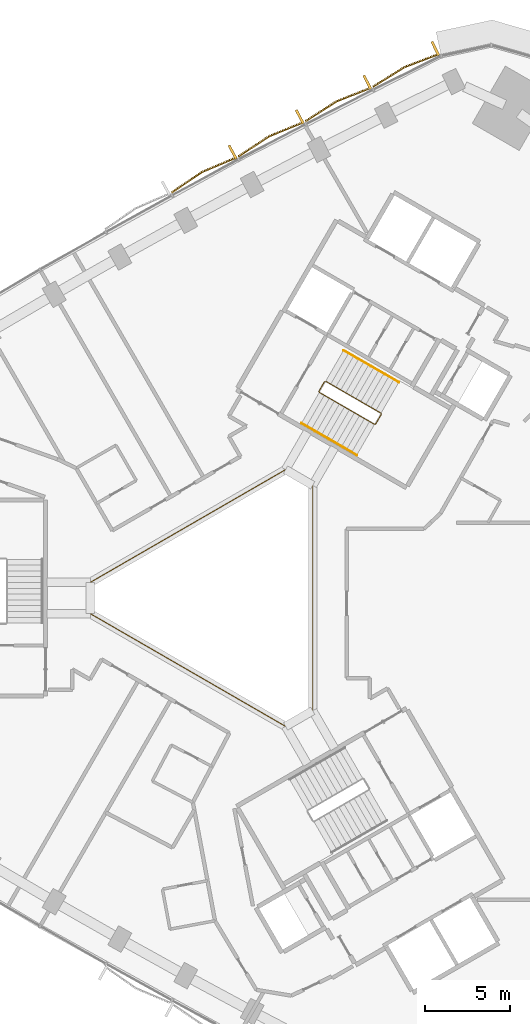
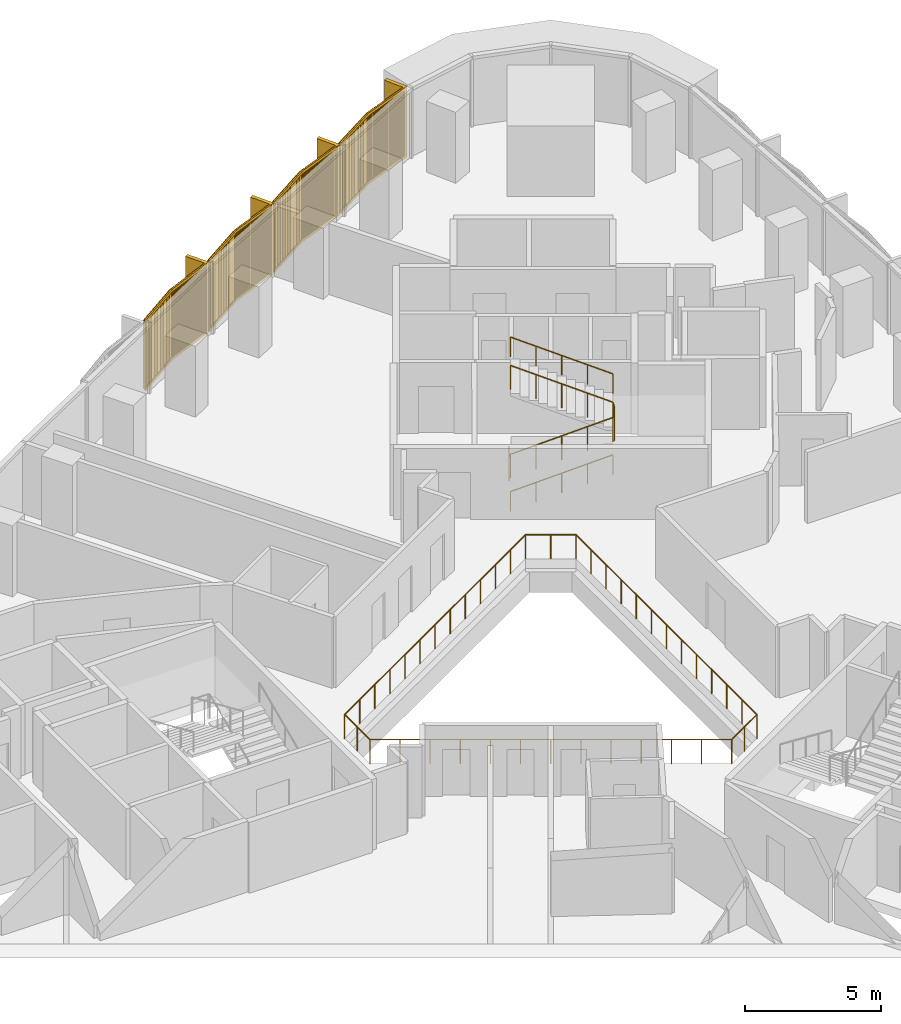
# One storey, part 14 of 15: 4 coverings, 4 railings.
"""IFC4 building model written with IfcOpenShell, lengths in metres."""

from ifc_helpers import new_model, si_unit, direction, frame, frame_2d, origin, origin_2d, place, context, subcontext, project, spatial, rectangle, circle, extrude, source, transform, mapped, material, type_object, element, save


model = new_model("IFC4")

# Units and contexts
model_context = context("Model", 3, precision=1e-05, world=origin(), true_north=direction((0.0, 1.0)))
body_context = subcontext(model_context, "Body", "Model", "MODEL_VIEW")
ifc_project = project(units=[si_unit("LENGTHUNIT", "METRE"), si_unit("AREAUNIT", "SQUARE_METRE"), si_unit("VOLUMEUNIT", "CUBIC_METRE"), si_unit("PLANEANGLEUNIT", "RADIAN"), si_unit("MASSUNIT", "GRAM", prefix="KILO")], contexts=[model_context])

# Site, building, storey
site_placement = place(None, origin())
site = spatial("IfcSite", under=ifc_project, at=site_placement, CompositionType="ELEMENT")
building_placement = place(site_placement, origin())
building = spatial("IfcBuilding", under=site, at=building_placement, Name="Tamra Quay Hotel Tower", CompositionType="ELEMENT")
storey_placement = place(building_placement, frame((0.0, 0.0, 86.60009765625)))
storey = spatial("IfcBuildingStorey", under=building, at=storey_placement, Name="L20", CompositionType="ELEMENT", Elevation=86.60009765625)

# Railings
ifc_material_1 = material(Name="Guard atrium edge 1100")
railing_type_1 = type_object("IfcRailingType", Name="Guard atrium edge 1100", PredefinedType="GUARDRAIL", material=ifc_material_1)
railing_1_placement = place(storey_placement, frame((4.89990234375, -6.639892578125, 0.0)))
element("IfcRailing", 1, at=railing_1_placement, inside=storey, type_object=railing_type_1, Name="G-A", PredefinedType="GUARDRAIL", context=body_context, shape_type="SweptSolid", body=[
    extrude(circle(Radius=0.02392578125, at=origin_2d()), frame((0.0, 0.0, 1.076171875), z_axis=(-0.866161379324, -0.499764409465, 0.0), x_axis=(0.499764409465, -0.866161379324, 0.0)), (0.0, 0.0, 1.0), 1.84716796875),
    extrude(circle(Radius=0.02392578125, at=origin_2d()), frame((-1.599853515625, -0.923095703125, 1.076171875), z_axis=(-0.866045362687, 0.499965428574, 0.0), x_axis=(-0.499965428574, -0.866045362687, 0.0)), (0.0, 0.0, 1.0), 13.27880859375),
    extrude(circle(Radius=0.02392578125, at=origin_2d()), frame((-13.099853515625, 5.7158203125, 1.076171875), z_axis=(0.0, 1.0, 0.0), x_axis=(-1.0, 0.0, 0.0)), (0.0, 0.0, 1.0), 1.84814453125),
    extrude(circle(Radius=0.02392578125, at=origin_2d()), frame((-13.099853515625, 7.56396484375, 1.076171875), z_axis=(0.866045362687, 0.499965428574, 0.0), x_axis=(-0.499965428574, 0.866045362687, 0.0)), (0.0, 0.0, 1.0), 13.27880859375),
    extrude(circle(Radius=0.02392578125, at=origin_2d()), frame((-1.599853515625, 14.202880859375, 1.076171875), z_axis=(0.866161379324, -0.499764409465, 0.0), x_axis=(0.499764409465, 0.866161379324, 0.0)), (0.0, 0.0, 1.0), 1.84716796875),
    extrude(circle(Radius=0.02392578125, at=origin_2d()), frame((0.0, 13.27978515625, 1.076171875), z_axis=(0.0, -1.0, 0.0), x_axis=(1.0, 0.0, 0.0)), (0.0, 0.0, 1.0), 13.27978515625),
    extrude(circle(Radius=0.02099609375, at=origin_2d()), origin(), (0.0, 0.0, 1.0), 1.052001953125),
    extrude(circle(Radius=0.02099609375, at=origin_2d()), frame((-0.7998046875, -0.46142578125, 0.0)), (0.0, 0.0, 1.0), 1.052001953125),
    extrude(circle(Radius=0.02099609375, at=origin_2d()), frame((-1.599853515625, -0.923095703125, 0.0)), (0.0, 0.0, 1.0), 1.052001953125),
    extrude(circle(Radius=0.02099609375, at=origin_2d()), frame((-2.55810546875, -0.369873046875, 0.0)), (0.0, 0.0, 1.0), 1.052001953125),
    extrude(circle(Radius=0.02099609375, at=origin_2d()), frame((-3.5166015625, 0.183349609375, 0.0)), (0.0, 0.0, 1.0), 1.052001953125),
    extrude(circle(Radius=0.02099609375, at=origin_2d()), frame((-4.474853515625, 0.736572265625, 0.0)), (0.0, 0.0, 1.0), 1.052001953125),
    extrude(circle(Radius=0.02099609375, at=origin_2d()), frame((-5.43310546875, 1.289794921875, 0.0)), (0.0, 0.0, 1.0), 1.052001953125),
    extrude(circle(Radius=0.02099609375, at=origin_2d()), frame((-6.3916015625, 1.843017578125, 0.0)), (0.0, 0.0, 1.0), 1.052001953125),
    extrude(circle(Radius=0.02099609375, at=origin_2d()), frame((-7.349853515625, 2.396484375, 0.0)), (0.0, 0.0, 1.0), 1.052001953125),
    extrude(circle(Radius=0.02099609375, at=origin_2d()), frame((-8.30810546875, 2.94970703125, 0.0)), (0.0, 0.0, 1.0), 1.052001953125),
    extrude(circle(Radius=0.02099609375, at=origin_2d()), frame((-9.2666015625, 3.5029296875, 0.0)), (0.0, 0.0, 1.0), 1.052001953125),
    extrude(circle(Radius=0.02099609375, at=origin_2d()), frame((-10.224853515625, 4.05615234375, 0.0)), (0.0, 0.0, 1.0), 1.052001953125),
    extrude(circle(Radius=0.02099609375, at=origin_2d()), frame((-11.18310546875, 4.609375, 0.0)), (0.0, 0.0, 1.0), 1.052001953125),
    extrude(circle(Radius=0.02099609375, at=origin_2d()), frame((-12.1416015625, 5.16259765625, 0.0)), (0.0, 0.0, 1.0), 1.052001953125),
    extrude(circle(Radius=0.02099609375, at=origin_2d()), frame((-13.099853515625, 5.7158203125, 0.0)), (0.0, 0.0, 1.0), 1.052001953125),
    extrude(circle(Radius=0.02099609375, at=origin_2d()), frame((-13.099853515625, 6.639892578125, 0.0)), (0.0, 0.0, 1.0), 1.052001953125),
    extrude(circle(Radius=0.02099609375, at=origin_2d()), frame((-13.099853515625, 7.56396484375, 0.0)), (0.0, 0.0, 1.0), 1.052001953125),
    extrude(circle(Radius=0.02099609375, at=origin_2d()), frame((-12.1416015625, 8.1171875, 0.0)), (0.0, 0.0, 1.0), 1.052001953125),
    extrude(circle(Radius=0.02099609375, at=origin_2d()), frame((-11.18310546875, 8.67041015625, 0.0)), (0.0, 0.0, 1.0), 1.052001953125),
    extrude(circle(Radius=0.02099609375, at=origin_2d()), frame((-10.224853515625, 9.2236328125, 0.0)), (0.0, 0.0, 1.0), 1.052001953125),
    extrude(circle(Radius=0.02099609375, at=origin_2d()), frame((-9.2666015625, 9.77685546875, 0.0)), (0.0, 0.0, 1.0), 1.052001953125),
    extrude(circle(Radius=0.02099609375, at=origin_2d()), frame((-8.30810546875, 10.330078125, 0.0)), (0.0, 0.0, 1.0), 1.052001953125),
    extrude(circle(Radius=0.02099609375, at=origin_2d()), frame((-7.349853515625, 10.88330078125, 0.0)), (0.0, 0.0, 1.0), 1.052001953125),
    extrude(circle(Radius=0.02099609375, at=origin_2d()), frame((-6.3916015625, 11.436767578125, 0.0)), (0.0, 0.0, 1.0), 1.052001953125),
    extrude(circle(Radius=0.02099609375, at=origin_2d()), frame((-5.43310546875, 11.989990234375, 0.0)), (0.0, 0.0, 1.0), 1.052001953125),
    extrude(circle(Radius=0.02099609375, at=origin_2d()), frame((-4.474853515625, 12.543212890625, 0.0)), (0.0, 0.0, 1.0), 1.052001953125),
    extrude(circle(Radius=0.02099609375, at=origin_2d()), frame((-3.5166015625, 13.096435546875, 0.0)), (0.0, 0.0, 1.0), 1.052001953125),
    extrude(circle(Radius=0.02099609375, at=origin_2d()), frame((-2.55810546875, 13.649658203125, 0.0)), (0.0, 0.0, 1.0), 1.052001953125),
    extrude(circle(Radius=0.02099609375, at=origin_2d()), frame((-1.599853515625, 14.202880859375, 0.0)), (0.0, 0.0, 1.0), 1.052001953125),
    extrude(circle(Radius=0.02099609375, at=origin_2d()), frame((-0.7998046875, 13.7412109375, 0.0)), (0.0, 0.0, 1.0), 1.052001953125),
    extrude(circle(Radius=0.02099609375, at=origin_2d()), frame((0.0, 13.27978515625, 0.0)), (0.0, 0.0, 1.0), 1.052001953125),
    extrude(circle(Radius=0.02099609375, at=origin_2d()), frame((0.0, 12.173095703125, 0.0)), (0.0, 0.0, 1.0), 1.052001953125),
    extrude(circle(Radius=0.02099609375, at=origin_2d()), frame((0.0, 11.06640625, 0.0)), (0.0, 0.0, 1.0), 1.052001953125),
    extrude(circle(Radius=0.02099609375, at=origin_2d()), frame((0.0, 9.9599609375, 0.0)), (0.0, 0.0, 1.0), 1.052001953125),
    extrude(circle(Radius=0.02099609375, at=origin_2d()), frame((0.0, 8.853271484375, 0.0)), (0.0, 0.0, 1.0), 1.052001953125),
    extrude(circle(Radius=0.02099609375, at=origin_2d()), frame((0.0, 7.74658203125, 0.0)), (0.0, 0.0, 1.0), 1.052001953125),
    extrude(circle(Radius=0.02099609375, at=origin_2d()), frame((0.0, 6.639892578125, 0.0)), (0.0, 0.0, 1.0), 1.052001953125),
    extrude(circle(Radius=0.02099609375, at=origin_2d()), frame((0.0, 5.533203125, 0.0)), (0.0, 0.0, 1.0), 1.052001953125),
    extrude(circle(Radius=0.02099609375, at=origin_2d()), frame((0.0, 4.426513671875, 0.0)), (0.0, 0.0, 1.0), 1.052001953125),
    extrude(circle(Radius=0.02099609375, at=origin_2d()), frame((0.0, 3.31982421875, 0.0)), (0.0, 0.0, 1.0), 1.052001953125),
    extrude(circle(Radius=0.02099609375, at=origin_2d()), frame((0.0, 2.21337890625, 0.0)), (0.0, 0.0, 1.0), 1.052001953125),
    extrude(circle(Radius=0.02099609375, at=origin_2d()), frame((0.0, 1.106689453125, 0.0)), (0.0, 0.0, 1.0), 1.052001953125),
])
ifc_material_2 = material(Name="Stair guard 1100")
railing_type_2 = type_object("IfcRailingType", Name="Stair guard 1100", PredefinedType="GUARDRAIL", material=ifc_material_2)
railing_2_placement = place(storey_placement, frame((5.595458984375, 12.751953125, 0.0)))
element("IfcRailing", 2, at=railing_2_placement, inside=storey, type_object=railing_type_2, Name="GR", PredefinedType="GUARDRAIL", context=body_context, shape_type="SweptSolid", body=[
    extrude(circle(Radius=0.02392578125, at=origin_2d()), frame((0.0, 0.0, 1.076171875), z_axis=(-0.499765215335, -0.866160914346, 0.0), x_axis=(0.866160914346, -0.499765215335, 0.0)), (0.0, 0.0, 1.0), 0.658935546875),
    extrude(circle(Radius=0.02392578125, at=origin_2d()), frame((-0.329345703125, -0.57080078125, 1.076171875), z_axis=(0.110525977783, -0.411156637351, 0.904839338113), x_axis=(0.965715946433, 0.259601060869, 0.0)), (0.0, 0.0, 1.0), 0.165771484375),
    extrude(circle(Radius=0.02392578125, at=origin_2d()), frame((-0.31103515625, -0.638916015625, 1.22607421875), z_axis=(0.793078462799, -0.457933869594, 0.401650498471), x_axis=(0.500040788363, 0.866001853331, 0.0)), (0.0, 0.0, 1.0), 4.10791015625),
    extrude(circle(Radius=0.02392578125, at=origin_2d()), frame((2.94677734375, -2.52001953125, 2.8759765625), z_axis=(0.965948051503, 0.258736085224, 0.0), x_axis=(-0.258736085224, 0.965948051503, 0.0)), (0.0, 0.0, 1.0), 0.07080078125),
    extrude(circle(Radius=0.02392578125, at=origin_2d()), frame((3.01513671875, -2.501708984375, 2.8759765625), z_axis=(0.500043078269, 0.866000531106, 0.0), x_axis=(-0.866000531106, 0.500043078269, 0.0)), (0.0, 0.0, 1.0), 0.6591796875),
    extrude(circle(Radius=0.02392578125, at=origin_2d()), frame((3.3447265625, -1.930908203125, 2.8759765625), z_axis=(-0.110378772244, 0.410609032747, 0.905105932399), x_axis=(-0.965715946433, -0.259601060869, 0.0)), (0.0, 0.0, 1.0), 0.165771484375),
    extrude(circle(Radius=0.02392578125, at=origin_2d()), frame((3.326416015625, -1.86279296875, 3.02587890625), z_axis=(-0.793100512587, 0.457912285461, 0.401631567183), x_axis=(-0.500012686397, -0.866018079166, 0.0)), (0.0, 0.0, 1.0), 4.10791015625),
    extrude(circle(Radius=0.02099609375, at=origin_2d()), origin(), (0.0, 0.0, 1.0), 1.052001953125),
    extrude(circle(Radius=0.02099609375, at=origin_2d()), frame((-0.329345703125, -0.57080078125, 0.0)), (0.0, 0.0, 1.0), 1.052001953125),
    extrude(circle(Radius=0.02099609375, at=origin_2d()), frame((-0.31103515625, -0.638916015625, 0.14990234375)), (0.0, 0.0, 1.0), 1.052001953125),
    extrude(circle(Radius=0.02099609375, at=origin_2d()), frame((0.50341796875, -1.109130859375, 0.5625)), (0.0, 0.0, 1.0), 1.052001953125),
    extrude(circle(Radius=0.02099609375, at=origin_2d()), frame((1.31787109375, -1.57958984375, 0.974853515625)), (0.0, 0.0, 1.0), 1.052001953125),
    extrude(circle(Radius=0.02099609375, at=origin_2d()), frame((2.13232421875, -2.0498046875, 1.38720703125)), (0.0, 0.0, 1.0), 1.052001953125),
    extrude(circle(Radius=0.02099609375, at=origin_2d()), frame((2.94677734375, -2.52001953125, 1.7998046875)), (0.0, 0.0, 1.0), 1.052001953125),
    extrude(circle(Radius=0.02099609375, at=origin_2d()), frame((3.01513671875, -2.501708984375, 1.7998046875)), (0.0, 0.0, 1.0), 1.052001953125),
    extrude(circle(Radius=0.02099609375, at=origin_2d()), frame((3.3447265625, -1.930908203125, 1.7998046875)), (0.0, 0.0, 1.0), 1.052001953125),
    extrude(circle(Radius=0.02099609375, at=origin_2d()), frame((3.326416015625, -1.86279296875, 1.949951171875)), (0.0, 0.0, 1.0), 1.052001953125),
    extrude(circle(Radius=0.02099609375, at=origin_2d()), frame((2.511962890625, -1.392578125, 2.3623046875)), (0.0, 0.0, 1.0), 1.052001953125),
    extrude(circle(Radius=0.02099609375, at=origin_2d()), frame((1.697265625, -0.92236328125, 2.77490234375)), (0.0, 0.0, 1.0), 1.052001953125),
    extrude(circle(Radius=0.02099609375, at=origin_2d()), frame((0.8828125, -0.451904296875, 3.1875)), (0.0, 0.0, 1.0), 1.052001953125),
    extrude(circle(Radius=0.02099609375, at=origin_2d()), frame((0.068359375, 0.018310546875, 3.599853515625)), (0.0, 0.0, 1.0), 1.052001953125),
])
ifc_material_3 = material(Name="Stair handrail 900")
railing_type_3 = type_object("IfcRailingType", Name="Stair handrail 900", PredefinedType="HANDRAIL", material=ifc_material_3)
railing_3_placement = place(storey_placement, frame((4.234375, 10.294189453125, 0.14990234375)))
element("IfcRailing", 3, at=railing_3_placement, inside=storey, type_object=railing_type_3, Name="HR", PredefinedType="HANDRAIL", context=body_context, shape_type="SweptSolid", body=[
    extrude(circle(Radius=0.02392578125, at=origin_2d()), frame((0.0, 0.0, 0.8759765625), z_axis=(0.793122095483, -0.45786531462, 0.401642496911), x_axis=(0.499964013922, 0.86604617936, 0.0)), (0.0, 0.0, 1.0), 4.10791015625),
    extrude(circle(Radius=0.02099609375, at=origin_2d()), origin(), (0.0, 0.0, 1.0), 0.851806640625),
    extrude(circle(Radius=0.02099609375, at=origin_2d()), frame((0.814453125, -0.47021484375, 0.41259765625)), (0.0, 0.0, 1.0), 0.851806640625),
    extrude(circle(Radius=0.02099609375, at=origin_2d()), frame((1.62890625, -0.9404296875, 0.824951171875)), (0.0, 0.0, 1.0), 0.851806640625),
    extrude(circle(Radius=0.02099609375, at=origin_2d()), frame((2.443603515625, -1.41064453125, 1.2373046875)), (0.0, 0.0, 1.0), 0.851806640625),
    extrude(circle(Radius=0.02099609375, at=origin_2d()), frame((3.258056640625, -1.880859375, 1.64990234375)), (0.0, 0.0, 1.0), 0.851806640625),
])
railing_4_placement = place(storey_placement, frame((9.971923828125, 12.7080078125, 1.949951171875)))
element("IfcRailing", 4, at=railing_4_placement, inside=storey, type_object=railing_type_3, Name="HR", PredefinedType="HANDRAIL", context=body_context, shape_type="SweptSolid", body=[
    extrude(circle(Radius=0.02392578125, at=origin_2d()), frame((0.0, 0.0, 0.8759765625), z_axis=(-0.793122095483, 0.45786531462, 0.401642496911), x_axis=(-0.499964013922, -0.86604617936, 0.0)), (0.0, 0.0, 1.0), 4.10791015625),
    extrude(circle(Radius=0.02099609375, at=origin_2d()), origin(), (0.0, 0.0, 1.0), 0.851806640625),
    extrude(circle(Radius=0.02099609375, at=origin_2d()), frame((-0.814453125, 0.47021484375, 0.41259765625)), (0.0, 0.0, 1.0), 0.851806640625),
    extrude(circle(Radius=0.02099609375, at=origin_2d()), frame((-1.62890625, 0.9404296875, 0.824951171875)), (0.0, 0.0, 1.0), 0.851806640625),
    extrude(circle(Radius=0.02099609375, at=origin_2d()), frame((-2.443603515625, 1.41064453125, 1.2373046875)), (0.0, 0.0, 1.0), 0.851806640625),
    extrude(circle(Radius=0.02099609375, at=origin_2d()), frame((-3.258056640625, 1.880859375, 1.64990234375)), (0.0, 0.0, 1.0), 0.851806640625),
])

# Coverings
ifc_material_4 = material(Name="Terracotta baguette extruded", Category="masonry")
covering_type = type_object("IfcCoveringType", Name="BAGUETTE SCREEN NW-V H3175", PredefinedType="USERDEFINED", material=ifc_material_4)
shared_shape = source(origin(), body_context, "Body", "SweptSolid", [
    extrude(rectangle(XDim=2.20263671875, YDim=0.06005859375, at=frame_2d((1.101318359375, 0.030029296875))), frame((-2.1982421875, -0.0576171875, -0.1201171875), z_axis=(0.0, 0.0, 1.0), x_axis=(0.995396198367, -0.09584575252, 0.0)), (0.0, 0.0, 1.0), 0.1201171875),
    extrude(rectangle(XDim=2.20263671875, YDim=0.06005859375, at=frame_2d((1.101318359375, 0.030029296875))), frame((-2.1982421875, -0.0576171875, -3.175048828125), z_axis=(0.0, 0.0, 1.0), x_axis=(0.995396198367, -0.09584575252, 0.0)), (0.0, 0.0, 1.0), 0.1201171875),
    extrude(rectangle(XDim=0.070068359375, YDim=0.10009765625, at=frame_2d((0.03515625, 0.050048828125))), frame((-2.177734375, -0.1328125, -3.114990234375)), (0.0, 0.0, 1.0), 3.054931640625),
    extrude(rectangle(XDim=0.070068359375, YDim=0.10009765625, at=frame_2d((0.03515625, 0.050048828125))), frame((-2.078125, -0.142333984375, -3.114990234375)), (0.0, 0.0, 1.0), 3.054931640625),
    extrude(rectangle(XDim=0.070068359375, YDim=0.10009765625, at=frame_2d((0.03515625, 0.050048828125))), frame((-1.978271484375, -0.152099609375, -3.114990234375)), (0.0, 0.0, 1.0), 3.054931640625),
    extrude(rectangle(XDim=0.070068359375, YDim=0.10009765625, at=frame_2d((0.03515625, 0.050048828125))), frame((-1.878662109375, -0.16162109375, -3.114990234375)), (0.0, 0.0, 1.0), 3.054931640625),
    extrude(rectangle(XDim=0.070068359375, YDim=0.10009765625, at=frame_2d((0.03515625, 0.050048828125))), frame((-1.779052734375, -0.171142578125, -3.114990234375)), (0.0, 0.0, 1.0), 3.054931640625),
    extrude(rectangle(XDim=0.070068359375, YDim=0.10009765625, at=frame_2d((0.03515625, 0.050048828125))), frame((-1.679443359375, -0.1806640625, -3.114990234375)), (0.0, 0.0, 1.0), 3.054931640625),
    extrude(rectangle(XDim=0.070068359375, YDim=0.10009765625, at=frame_2d((0.03515625, 0.050048828125))), frame((-1.579833984375, -0.1904296875, -3.114990234375)), (0.0, 0.0, 1.0), 3.054931640625),
    extrude(rectangle(XDim=0.070068359375, YDim=0.10009765625, at=frame_2d((0.03515625, 0.050048828125))), frame((-1.47998046875, -0.199951171875, -3.114990234375)), (0.0, 0.0, 1.0), 3.054931640625),
    extrude(rectangle(XDim=0.070068359375, YDim=0.10009765625, at=frame_2d((0.03515625, 0.050048828125))), frame((-1.38037109375, -0.20947265625, -3.114990234375)), (0.0, 0.0, 1.0), 3.054931640625),
    extrude(rectangle(XDim=0.070068359375, YDim=0.10009765625, at=frame_2d((0.03515625, 0.050048828125))), frame((-1.28076171875, -0.21923828125, -3.114990234375)), (0.0, 0.0, 1.0), 3.054931640625),
    extrude(rectangle(XDim=0.070068359375, YDim=0.10009765625, at=frame_2d((0.03515625, 0.050048828125))), frame((-1.18115234375, -0.228759765625, -3.114990234375)), (0.0, 0.0, 1.0), 3.054931640625),
    extrude(rectangle(XDim=0.070068359375, YDim=0.10009765625, at=frame_2d((0.03515625, 0.050048828125))), frame((-1.081298828125, -0.23828125, -3.114990234375)), (0.0, 0.0, 1.0), 3.054931640625),
    extrude(rectangle(XDim=0.070068359375, YDim=0.10009765625, at=frame_2d((0.03515625, 0.050048828125))), frame((-0.981689453125, -0.248046875, -3.114990234375)), (0.0, 0.0, 1.0), 3.054931640625),
    extrude(rectangle(XDim=0.070068359375, YDim=0.10009765625, at=frame_2d((0.03515625, 0.050048828125))), frame((-0.882080078125, -0.257568359375, -3.114990234375)), (0.0, 0.0, 1.0), 3.054931640625),
    extrude(rectangle(XDim=0.070068359375, YDim=0.10009765625, at=frame_2d((0.03515625, 0.050048828125))), frame((-0.782470703125, -0.26708984375, -3.114990234375)), (0.0, 0.0, 1.0), 3.054931640625),
    extrude(rectangle(XDim=0.070068359375, YDim=0.10009765625, at=frame_2d((0.03515625, 0.050048828125))), frame((-0.682861328125, -0.27685546875, -3.114990234375)), (0.0, 0.0, 1.0), 3.054931640625),
    extrude(rectangle(XDim=0.070068359375, YDim=0.10009765625, at=frame_2d((0.03515625, 0.050048828125))), frame((-0.583251953125, -0.286376953125, -3.114990234375)), (0.0, 0.0, 1.0), 3.054931640625),
    extrude(rectangle(XDim=0.070068359375, YDim=0.10009765625, at=frame_2d((0.03515625, 0.050048828125))), frame((-0.4833984375, -0.2958984375, -3.114990234375)), (0.0, 0.0, 1.0), 3.054931640625),
    extrude(rectangle(XDim=0.070068359375, YDim=0.10009765625, at=frame_2d((0.03515625, 0.050048828125))), frame((-0.3837890625, -0.305419921875, -3.114990234375)), (0.0, 0.0, 1.0), 3.054931640625),
    extrude(rectangle(XDim=0.070068359375, YDim=0.10009765625, at=frame_2d((0.03515625, 0.050048828125))), frame((-0.2841796875, -0.315185546875, -3.114990234375)), (0.0, 0.0, 1.0), 3.054931640625),
    extrude(rectangle(XDim=0.070068359375, YDim=0.10009765625, at=frame_2d((0.03515625, 0.050048828125))), frame((-0.1845703125, -0.32470703125, -3.114990234375)), (0.0, 0.0, 1.0), 3.054931640625),
    extrude(rectangle(XDim=0.070068359375, YDim=0.10009765625, at=frame_2d((0.03515625, 0.050048828125))), frame((-0.084716796875, -0.334228515625, -3.114990234375)), (0.0, 0.0, 1.0), 3.054931640625),
    extrude(rectangle(XDim=2.20263671875, YDim=0.06005859375, at=frame_2d((1.101318359375, 0.030029296875))), frame((0.005859375, -0.268798828125, -0.1201171875), z_axis=(0.0, 0.0, 1.0), x_axis=(0.995396198367, 0.09584575252, 0.0)), (0.0, 0.0, 1.0), 0.1201171875),
    extrude(rectangle(XDim=2.20263671875, YDim=0.06005859375, at=frame_2d((1.101318359375, 0.030029296875))), frame((0.005859375, -0.268798828125, -3.175048828125), z_axis=(0.0, 0.0, 1.0), x_axis=(0.995396198367, 0.09584575252, 0.0)), (0.0, 0.0, 1.0), 0.1201171875),
    extrude(rectangle(XDim=0.070068359375, YDim=0.10009765625, at=frame_2d((0.03515625, 0.050048828125))), frame((0.014892578125, -0.334228515625, -3.114990234375)), (0.0, 0.0, 1.0), 3.054931640625),
    extrude(rectangle(XDim=0.070068359375, YDim=0.10009765625, at=frame_2d((0.03515625, 0.050048828125))), frame((0.114501953125, -0.32470703125, -3.114990234375)), (0.0, 0.0, 1.0), 3.054931640625),
    extrude(rectangle(XDim=0.070068359375, YDim=0.10009765625, at=frame_2d((0.03515625, 0.050048828125))), frame((0.214111328125, -0.315185546875, -3.114990234375)), (0.0, 0.0, 1.0), 3.054931640625),
    extrude(rectangle(XDim=0.070068359375, YDim=0.10009765625, at=frame_2d((0.03515625, 0.050048828125))), frame((0.313720703125, -0.305419921875, -3.114990234375)), (0.0, 0.0, 1.0), 3.054931640625),
    extrude(rectangle(XDim=0.070068359375, YDim=0.10009765625, at=frame_2d((0.03515625, 0.050048828125))), frame((0.41357421875, -0.2958984375, -3.114990234375)), (0.0, 0.0, 1.0), 3.054931640625),
    extrude(rectangle(XDim=0.070068359375, YDim=0.10009765625, at=frame_2d((0.03515625, 0.050048828125))), frame((0.51318359375, -0.286376953125, -3.114990234375)), (0.0, 0.0, 1.0), 3.054931640625),
    extrude(rectangle(XDim=0.070068359375, YDim=0.10009765625, at=frame_2d((0.03515625, 0.050048828125))), frame((0.61279296875, -0.27685546875, -3.114990234375)), (0.0, 0.0, 1.0), 3.054931640625),
    extrude(rectangle(XDim=0.070068359375, YDim=0.10009765625, at=frame_2d((0.03515625, 0.050048828125))), frame((0.71240234375, -0.26708984375, -3.114990234375)), (0.0, 0.0, 1.0), 3.054931640625),
    extrude(rectangle(XDim=0.070068359375, YDim=0.10009765625, at=frame_2d((0.03515625, 0.050048828125))), frame((0.81201171875, -0.257568359375, -3.114990234375)), (0.0, 0.0, 1.0), 3.054931640625),
    extrude(rectangle(XDim=0.070068359375, YDim=0.10009765625, at=frame_2d((0.03515625, 0.050048828125))), frame((0.911865234375, -0.248046875, -3.114990234375)), (0.0, 0.0, 1.0), 3.054931640625),
    extrude(rectangle(XDim=0.070068359375, YDim=0.10009765625, at=frame_2d((0.03515625, 0.050048828125))), frame((1.011474609375, -0.23828125, -3.114990234375)), (0.0, 0.0, 1.0), 3.054931640625),
    extrude(rectangle(XDim=0.070068359375, YDim=0.10009765625, at=frame_2d((0.03515625, 0.050048828125))), frame((1.111083984375, -0.228759765625, -3.114990234375)), (0.0, 0.0, 1.0), 3.054931640625),
    extrude(rectangle(XDim=0.070068359375, YDim=0.10009765625, at=frame_2d((0.03515625, 0.050048828125))), frame((1.210693359375, -0.21923828125, -3.114990234375)), (0.0, 0.0, 1.0), 3.054931640625),
    extrude(rectangle(XDim=0.070068359375, YDim=0.10009765625, at=frame_2d((0.03515625, 0.050048828125))), frame((1.310302734375, -0.20947265625, -3.114990234375)), (0.0, 0.0, 1.0), 3.054931640625),
    extrude(rectangle(XDim=0.070068359375, YDim=0.10009765625, at=frame_2d((0.03515625, 0.050048828125))), frame((1.41015625, -0.199951171875, -3.114990234375)), (0.0, 0.0, 1.0), 3.054931640625),
    extrude(rectangle(XDim=0.070068359375, YDim=0.10009765625, at=frame_2d((0.03515625, 0.050048828125))), frame((1.509765625, -0.1904296875, -3.114990234375)), (0.0, 0.0, 1.0), 3.054931640625),
    extrude(rectangle(XDim=0.070068359375, YDim=0.10009765625, at=frame_2d((0.03515625, 0.050048828125))), frame((1.609375, -0.1806640625, -3.114990234375)), (0.0, 0.0, 1.0), 3.054931640625),
    extrude(rectangle(XDim=0.070068359375, YDim=0.10009765625, at=frame_2d((0.03515625, 0.050048828125))), frame((1.708984375, -0.171142578125, -3.114990234375)), (0.0, 0.0, 1.0), 3.054931640625),
    extrude(rectangle(XDim=0.070068359375, YDim=0.10009765625, at=frame_2d((0.03515625, 0.050048828125))), frame((1.80859375, -0.16162109375, -3.114990234375)), (0.0, 0.0, 1.0), 3.054931640625),
    extrude(rectangle(XDim=0.070068359375, YDim=0.10009765625, at=frame_2d((0.03515625, 0.050048828125))), frame((1.908447265625, -0.152099609375, -3.114990234375)), (0.0, 0.0, 1.0), 3.054931640625),
    extrude(rectangle(XDim=0.070068359375, YDim=0.10009765625, at=frame_2d((0.03515625, 0.050048828125))), frame((2.008056640625, -0.142333984375, -3.114990234375)), (0.0, 0.0, 1.0), 3.054931640625),
    extrude(rectangle(XDim=0.070068359375, YDim=0.10009765625, at=frame_2d((0.03515625, 0.050048828125))), frame((2.107666015625, -0.1328125, -3.114990234375)), (0.0, 0.0, 1.0), 3.054931640625),
    extrude(rectangle(XDim=0.14990234375, YDim=0.902099609375, at=frame_2d((0.074951171875, 0.451171875))), frame((-2.1923828125, -0.89990234375, -3.175048828125)), (0.0, 0.0, 1.0), 3.175048828125),
])
for number, where, z_axis, x_axis, name in (
    (5, (10.421875, 31.03271484375, 3.1748046875), (0.0, 0.0, 1.0), (-0.895658107856, -0.444743244842, 0.0), "Baguette screen L20.NW.f00"),
    (6, (6.434326171875, 29.024169921875, 3.1748046875), (0.0, 0.0, 1.0), (-0.89054445887, -0.454896215391, 0.0), "Baguette screen L20.NW.f01"),
    (7, (2.469482421875, 26.970458984375, 3.1748046875), (0.0, 0.0, 1.0), (-0.885306132294, -0.465008658116, 0.0), "Baguette screen L20.NW.f02"),
    (8, (-1.4716796875, 24.87158203125, 3.1748046875), (0.0, 0.0, 1.0), (-0.879945594555, -0.475074468502, 0.0), "Baguette screen L20.NW.f03"),
):
    element("IfcCovering", number, at=place(storey_placement, frame(where, z_axis=z_axis, x_axis=x_axis)), inside=storey, type_object=covering_type, Name=name, ObjectType="BAGUETTE SCREEN", PredefinedType="USERDEFINED", context=body_context, shape_type="MappedRepresentation", body=[
        mapped(shared_shape, transform((0.0, 0.0, 0.0), scale=1.0)),
    ])

save(model, "model.ifc")
